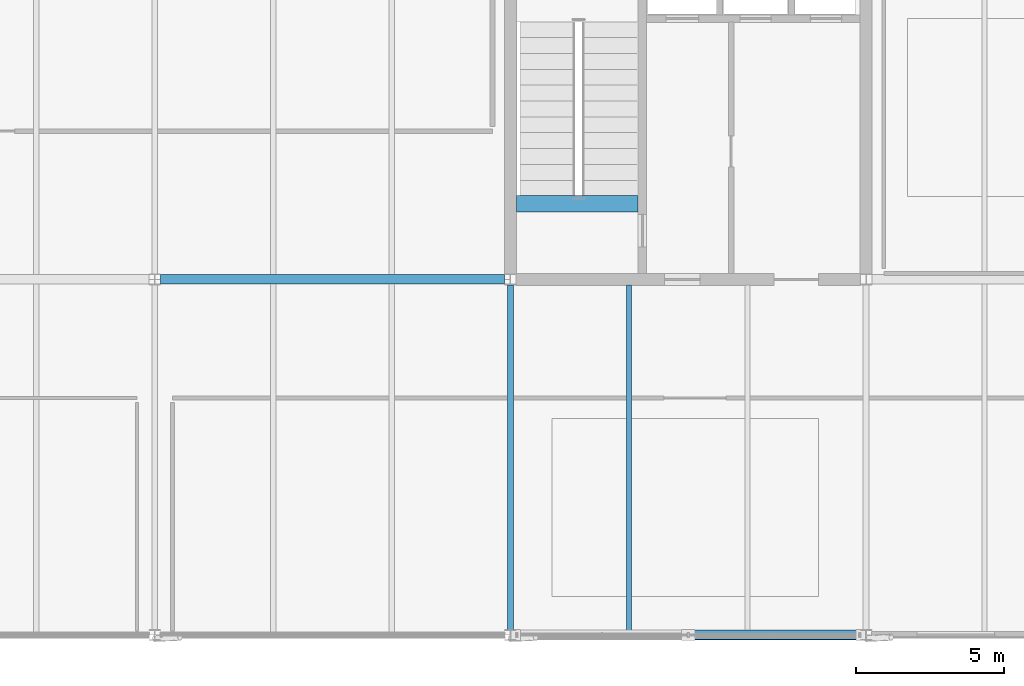
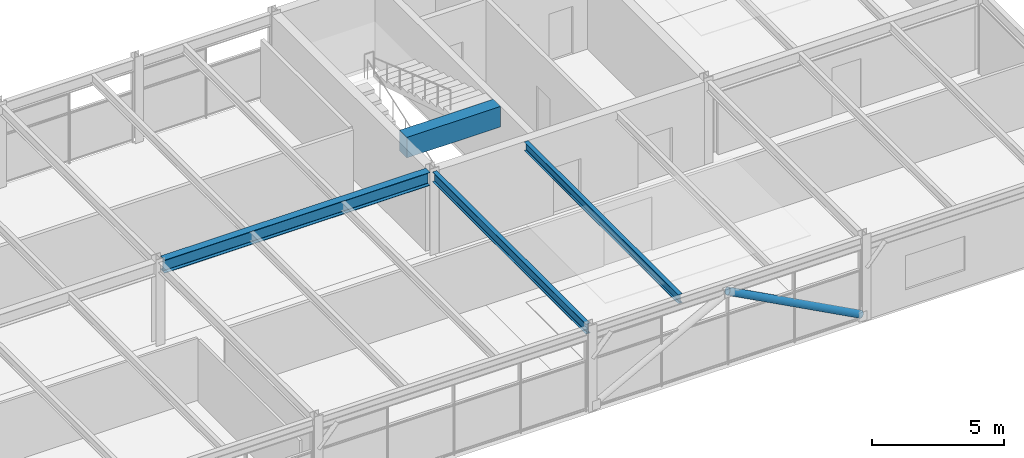
# One storey, part 28 of 40: 4 beams, 1 member.
"""IFC4 building model written with IfcOpenShell, lengths in metres."""

import ifcopenshell
import ifcopenshell.guid

model = None  # the IFC model being written
_history = None  # IfcOwnerHistory: only IFC2X3 demands one
_inside = {}  # id of a spatial element -> (the spatial element, [elements in it])
_under = {}  # id of a project, library or spatial element -> (it, [spatial elements below it])
_declared = {}  # id of a project -> (the project, [libraries it declares])
_typed = {}  # id of a type object -> (the type object, [elements of that type])
_made_of = {}  # id of a material, layer set ... -> (it, [elements and type objects made of it])


def new_model(schema):
    """Start an empty IFC model of exactly this schema.

    Asked for "IFC4X3", IfcOpenShell would pick the latest addendum, in which some entities
    have other attributes; the version numbers below select the first issue.
    IFC2X3 requires an IfcOwnerHistory on every rooted entity: one is made here for all.
    """
    global model, _history
    if schema == "IFC4X3":
        model = ifcopenshell.file(schema_version=(4, 3, 0, 0))
    else:
        model = ifcopenshell.file(schema=schema)
    _inside.clear()
    _under.clear()
    _declared.clear()
    _typed.clear()
    _made_of.clear()
    _history = None
    if model.schema == "IFC2X3":
        org = make("IfcOrganization", Name="unknown")
        user = make(
            "IfcPersonAndOrganization",
            ThePerson=make("IfcPerson", FamilyName="unknown"),
            TheOrganization=org,
        )
        app = make(
            "IfcApplication",
            ApplicationDeveloper=org,
            Version="unknown",
            ApplicationFullName="unknown",
            ApplicationIdentifier="unknown",
        )
        _history = make(
            "IfcOwnerHistory",
            OwningUser=user,
            OwningApplication=app,
            ChangeAction="ADDED",
            CreationDate=0,
        )
    return model


def make(cls, **values):
    """One entity of the class cls with the attributes given. An attribute that is None is left unset."""
    return model.create_entity(
        cls, **{name: value for name, value in values.items() if value is not None}
    )


def rooted(cls, **values):
    """An entity with a GlobalId (a new one), such as an element, a storey or a relation."""
    return make(cls, GlobalId=ifcopenshell.guid.new(), OwnerHistory=_history, **values)


def si_unit(unit_type, name, prefix=None):
    """IfcSIUnit, for example si_unit("LENGTHUNIT", "METRE", prefix="MILLI")."""
    return make("IfcSIUnit", UnitType=unit_type, Prefix=prefix, Name=name)


def assignment(units):
    """IfcUnitAssignment: the units of a project."""
    return None if units is None else make("IfcUnitAssignment", Units=units)


def point(xyz):
    """IfcCartesianPoint."""
    return None if xyz is None else make("IfcCartesianPoint", Coordinates=xyz)


def direction(xyz):
    """IfcDirection."""
    return None if xyz is None else make("IfcDirection", DirectionRatios=xyz)


def frame(location, z_axis=None, x_axis=None):
    """IfcAxis2Placement3D, a coordinate frame: its origin and axes. An axis left out is left unset."""
    return make(
        "IfcAxis2Placement3D",
        Location=point(location),
        Axis=direction(z_axis),
        RefDirection=direction(x_axis),
    )


def frame_2d(location, x_axis=None):
    """IfcAxis2Placement2D, a coordinate frame in the plane: its origin and x axis."""
    return make(
        "IfcAxis2Placement2D", Location=point(location), RefDirection=direction(x_axis)
    )


def origin():
    """The frame at (0, 0, 0) with its axes left unset."""
    return frame((0.0, 0.0, 0.0))


def origin_2d():
    """The frame at (0, 0) in the plane with its x axis left unset."""
    return frame_2d((0.0, 0.0))


def place(relative_to, where):
    """IfcLocalPlacement: puts the frame where relative to a parent placement (None: the world)."""
    return make(
        "IfcLocalPlacement", PlacementRelTo=relative_to, RelativePlacement=where
    )


def context(
    kind, dimensions, precision=None, world=None, true_north=None, identifier=None
):
    """IfcGeometricRepresentationContext, for example the 3D "Model" context."""
    return make(
        "IfcGeometricRepresentationContext",
        ContextIdentifier=identifier,
        ContextType=kind,
        CoordinateSpaceDimension=dimensions,
        Precision=precision,
        WorldCoordinateSystem=world,
        TrueNorth=true_north,
    )


def subcontext(parent, identifier, kind, view, scale=None):
    """IfcGeometricRepresentationSubContext, for example "Body" below "Model"."""
    return make(
        "IfcGeometricRepresentationSubContext",
        ContextIdentifier=identifier,
        ContextType=kind,
        ParentContext=parent,
        TargetScale=scale,
        TargetView=view,
    )


def project(units=None, contexts=None):
    """IfcProject with its units and contexts."""
    return rooted(
        "IfcProject",
        Name="project",
        RepresentationContexts=contexts,
        UnitsInContext=assignment(units),
    )


def spatial(cls, under=None, at=None, **own):
    """A site, building, storey or space (cls), placed at a placement, below another one or the project."""
    s = rooted(cls, ObjectPlacement=at, **own)
    if under is not None:
        _under.setdefault(under.id(), (under, []))[1].append(s)
    return s


def profile(cls, at=None, kind="AREA", **sizes):
    """A parametric profile (cls). Its sizes go by their IFC names, for example OverallWidth=200.0."""
    return make(cls, ProfileType=kind, Position=at, **sizes)


def rectangle(**sizes):
    """IfcRectangleProfileDef."""
    return profile("IfcRectangleProfileDef", **sizes)


def hollow_circle(**sizes):
    """IfcCircleHollowProfileDef."""
    return profile("IfcCircleHollowProfileDef", **sizes)


def i_section(**sizes):
    """IfcIShapeProfileDef."""
    return profile("IfcIShapeProfileDef", **sizes)


def extrude(swept, where, along, depth):
    """IfcExtrudedAreaSolid: the profile swept, set in the frame where, extruded along a direction by depth."""
    return make(
        "IfcExtrudedAreaSolid",
        SweptArea=swept,
        Position=where,
        ExtrudedDirection=direction(along),
        Depth=depth,
    )


def shape(context_of_items, identifier, shape_type, items):
    """IfcShapeRepresentation: the items that make up one representation, for example the "Body"."""
    return make(
        "IfcShapeRepresentation",
        ContextOfItems=context_of_items,
        RepresentationIdentifier=identifier,
        RepresentationType=shape_type,
        Items=items,
    )


def material(Name=None, Category=None):
    """IfcMaterial."""
    return make("IfcMaterial", Name=Name, Category=Category)


def material_profile(
    of_material, cross_section, Name=None, Category=None, Priority=None
):
    """IfcMaterialProfile: a cross section and its material."""
    return make(
        "IfcMaterialProfile",
        Name=Name,
        Material=of_material,
        Profile=cross_section,
        Priority=Priority,
        Category=Category,
    )


def profile_set(profiles, Name=None, composite=None):
    """IfcMaterialProfileSet."""
    return make(
        "IfcMaterialProfileSet",
        Name=Name,
        MaterialProfiles=profiles,
        CompositeProfile=composite,
    )


def made_of(thing, what):
    """Note that an element or type object is made of a material, layer set ...; save() writes the relation."""
    if what is not None:
        _made_of.setdefault(what.id(), (what, []))[1].append(thing)
    return thing


def type_object(cls, material=None, **own):
    """A type object (cls), such as IfcWallType, which elements share."""
    return made_of(rooted(cls, **own), material)


def element(
    cls,
    number,
    at=None,
    inside=None,
    cuts=None,
    type_object=None,
    material=None,
    context=None,
    identifier="Body",
    shape_type=None,
    held_by="IfcProductDefinitionShape",
    body=None,
    shapes=None,
    **own,
):
    """One element of the class cls, such as IfcWall. Its Tag is "e" and its number.

    at: its placement. inside: the storey or other place that contains it. cuts: it is an
    opening in that element (IfcRelVoidsElement). A single representation is given by context,
    identifier, shape_type and body (its items); several are given by shapes. held_by: the class
    of the entity that holds the representations. save() writes the other relations.
    """
    e = rooted(cls, Tag="e%d" % number, ObjectPlacement=at, **own)
    if body is not None:
        shapes = [shape(context, identifier, shape_type, body)]
    if shapes is not None:
        e.Representation = make(held_by, Representations=shapes)
    if inside is not None:
        _inside.setdefault(inside.id(), (inside, []))[1].append(e)
    if cuts is not None:
        rooted(
            "IfcRelVoidsElement", RelatingBuildingElement=cuts, RelatedOpeningElement=e
        )
    if type_object is not None:
        _typed.setdefault(type_object.id(), (type_object, []))[1].append(e)
    return made_of(e, material)


def aggregate(whole, parts):
    """IfcRelAggregates: a whole, such as a stair, and the parts it consists of."""
    return rooted("IfcRelAggregates", RelatingObject=whole, RelatedObjects=parts)


def save(model, path):
    """Write the relations noted so far, then the file.

    IfcRelAggregates (storeys below a building ...), IfcRelContainedInSpatialStructure (elements
    in a storey), IfcRelDefinesByType, IfcRelAssociatesMaterial and IfcRelDeclares: one each for
    every whole, place, type object, material and project.
    """
    for whole, parts in _under.values():
        aggregate(whole, parts)
    for where, things in _inside.values():
        rooted(
            "IfcRelContainedInSpatialStructure",
            RelatedElements=things,
            RelatingStructure=where,
        )
    for kind, things in _typed.values():
        rooted("IfcRelDefinesByType", RelatedObjects=things, RelatingType=kind)
    for what, things in _made_of.values():
        rooted("IfcRelAssociatesMaterial", RelatedObjects=things, RelatingMaterial=what)
    for by, libraries in _declared.values():
        rooted("IfcRelDeclares", RelatingContext=by, RelatedDefinitions=libraries)
    model.write(path)


model = new_model("IFC4")

# Units and contexts
model_context = context("Model", 3, precision=1e-05, world=origin(), true_north=direction((0.0, 1.0)))
body_context = subcontext(model_context, "Body", "Model", "MODEL_VIEW")
ifc_project = project(units=[si_unit("LENGTHUNIT", "METRE"), si_unit("AREAUNIT", "SQUARE_METRE"), si_unit("VOLUMEUNIT", "CUBIC_METRE"), si_unit("PLANEANGLEUNIT", "RADIAN"), si_unit("MASSUNIT", "GRAM", prefix="KILO")], contexts=[model_context])

# Site, building, storey
site_placement = place(None, origin())
site = spatial("IfcSite", under=ifc_project, at=site_placement, CompositionType="ELEMENT")
building_placement = place(site_placement, origin())
building = spatial("IfcBuilding", under=site, at=building_placement, Name="Girod Span Mobility Hub", CompositionType="ELEMENT")
storey_placement = place(building_placement, frame((0.0, 0.0, 57.60009765625)))
storey = spatial("IfcBuildingStorey", under=building, at=storey_placement, Name="L14", CompositionType="ELEMENT", Elevation=57.60009765625)

# Beams
ifc_material_1 = material(Name="Concrete C40/50", Category="concrete")
ifc_material_profile_1 = material_profile(ifc_material_1, rectangle(XDim=0.550048828125, YDim=0.949951171875, at=origin_2d()), Name="RK-550X950")
ifc_profile_set_1 = profile_set([ifc_material_profile_1], Name="Concrete C40/50")
beam_type_1 = type_object("IfcBeamType", Name="BM-RK-550X950", PredefinedType="BEAM", material=ifc_profile_set_1)
beam_1_placement = place(storey_placement, frame((108.197021484375, 59.550048828125, 3.375), z_axis=(1.0, 0.0, 0.0), x_axis=(0.0, 1.0, 0.0)))
element("IfcBeam", 1, at=beam_1_placement, inside=storey, type_object=beam_type_1, Name="Stair ST-2 Landing Header Beam L14", PredefinedType="BEAM", context=body_context, shape_type="SweptSolid", body=[
    extrude(rectangle(XDim=0.550048828125, YDim=0.949951171875, at=origin_2d()), origin(), (0.0, 0.0, 1.0), 4.10595703125),
])
ifc_material_2 = material(Name="Steel A992 Grade 50", Category="steel")
ifc_material_profile_2 = material_profile(ifc_material_2, i_section(OverallWidth=0.178955078125, OverallDepth=0.409912109375, WebThickness=0.0087890625, FlangeThickness=0.014404296875, FilletRadius=0.012939453125, at=origin_2d()), Name="W16X45")
ifc_profile_set_2 = profile_set([ifc_material_profile_2], Name="Steel A992 Grade 50")
beam_type_2 = type_object("IfcBeamType", Name="BM-STL-W16X45", PredefinedType="BEAM", material=ifc_profile_set_2)
beam_2_placement = place(storey_placement, frame((112.0, 45.10302734375, 3.64501953125), z_axis=(0.0, 1.0, 0.0), x_axis=(-1.0, 0.0, 0.0)))
element("IfcBeam", 2, at=beam_2_placement, inside=storey, type_object=beam_type_2, Name="Composite Floorbeam 10/D-1 L14", PredefinedType="BEAM", context=body_context, shape_type="SweptSolid", body=[
    extrude(i_section(OverallWidth=0.178955078125, OverallDepth=0.409912109375, WebThickness=0.0087890625, FlangeThickness=0.014404296875, FilletRadius=0.012939453125, at=origin_2d()), origin(), (0.0, 0.0, 1.0), 11.699951171875),
])
ifc_material_3 = material(Name="Steel A992 Grade 50", Category="steel")
ifc_material_profile_3 = material_profile(ifc_material_3, i_section(OverallWidth=0.19189453125, OverallDepth=0.462890625, WebThickness=0.010498046875, FlangeThickness=0.017578125, FilletRadius=0.013916015625, at=origin_2d()), Name="W18X60")
ifc_profile_set_3 = profile_set([ifc_material_profile_3], Name="Steel A992 Grade 50")
beam_type_3 = type_object("IfcBeamType", Name="BM-STL-W18X60", PredefinedType="BEAM", material=ifc_profile_set_3)
beam_3_placement = place(storey_placement, frame((108.0, 45.175048828125, 3.618408203125), z_axis=(0.0, 1.0, 0.0), x_axis=(-1.0, 0.0, 0.0)))
element("IfcBeam", 3, at=beam_3_placement, inside=storey, type_object=beam_type_3, Name="Tie Girder 10/D-E L14", PredefinedType="BEAM", context=body_context, shape_type="SweptSolid", body=[
    extrude(i_section(OverallWidth=0.19189453125, OverallDepth=0.462890625, WebThickness=0.010498046875, FlangeThickness=0.017578125, FilletRadius=0.013916015625, at=origin_2d()), origin(), (0.0, 0.0, 1.0), 11.640380859375),
])
ifc_material_4 = material(Name="Steel A992 Grade 50", Category="steel")
ifc_material_profile_4 = material_profile(ifc_material_4, i_section(OverallWidth=0.323974609375, OverallDepth=0.611083984375, WebThickness=0.0126953125, FlangeThickness=0.01904296875, FilletRadius=0.014892578125, at=origin_2d()), Name="W24X104")
ifc_profile_set_4 = profile_set([ifc_material_profile_4], Name="Steel A992 Grade 50")
beam_type_4 = type_object("IfcBeamType", Name="BM-STL-W24X104", PredefinedType="BEAM", material=ifc_profile_set_4)
beam_4_placement = place(storey_placement, frame((96.194091796875, 57.0, 3.54443359375), z_axis=(1.0, 0.0, 0.0), x_axis=(0.0, 1.0, 0.0)))
element("IfcBeam", 4, at=beam_4_placement, inside=storey, type_object=beam_type_4, Name="Girder 9-10/E L14", PredefinedType="BEAM", context=body_context, shape_type="SweptSolid", body=[
    extrude(i_section(OverallWidth=0.323974609375, OverallDepth=0.611083984375, WebThickness=0.0126953125, FlangeThickness=0.01904296875, FilletRadius=0.014892578125, at=origin_2d()), origin(), (0.0, 0.0, 1.0), 11.61181640625),
])

# Member
ifc_material_5 = material(Name="Steel HSS A500 Grade C", Category="steel")
ifc_material_profile_5 = material_profile(ifc_material_5, hollow_circle(Radius=0.162109375, WallThickness=0.01171875, at=origin_2d()), Name="HSS324X12.7")
ifc_profile_set_5 = profile_set([ifc_material_profile_5], Name="Steel HSS A500 Grade C")
member_type = type_object("IfcMemberType", Name="MB-BR-HSS324", PredefinedType="BRACE", material=ifc_profile_set_5)
member_placement = place(storey_placement, frame((119.83544921875, 45.0, 0.25), z_axis=(-0.882118883512, 0.0, 0.47102683082), x_axis=(0.0, -1.0, 0.0)))
element("IfcMember", 5, at=member_placement, inside=storey, type_object=member_type, Name="Upper Diagrid Brace 10/D-R L14", PredefinedType="BRACE", context=body_context, shape_type="SweptSolid", body=[
    extrude(hollow_circle(Radius=0.162109375, WallThickness=0.01171875, at=origin_2d()), origin(), (0.0, 0.0, 1.0), 6.615234375),
])

save(model, "model.ifc")
